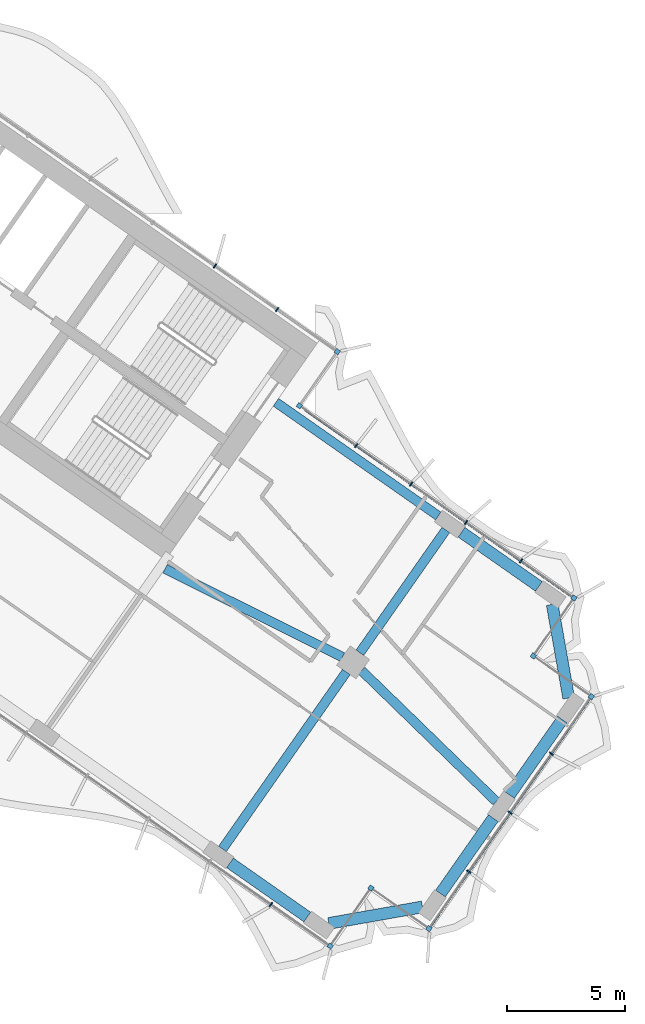
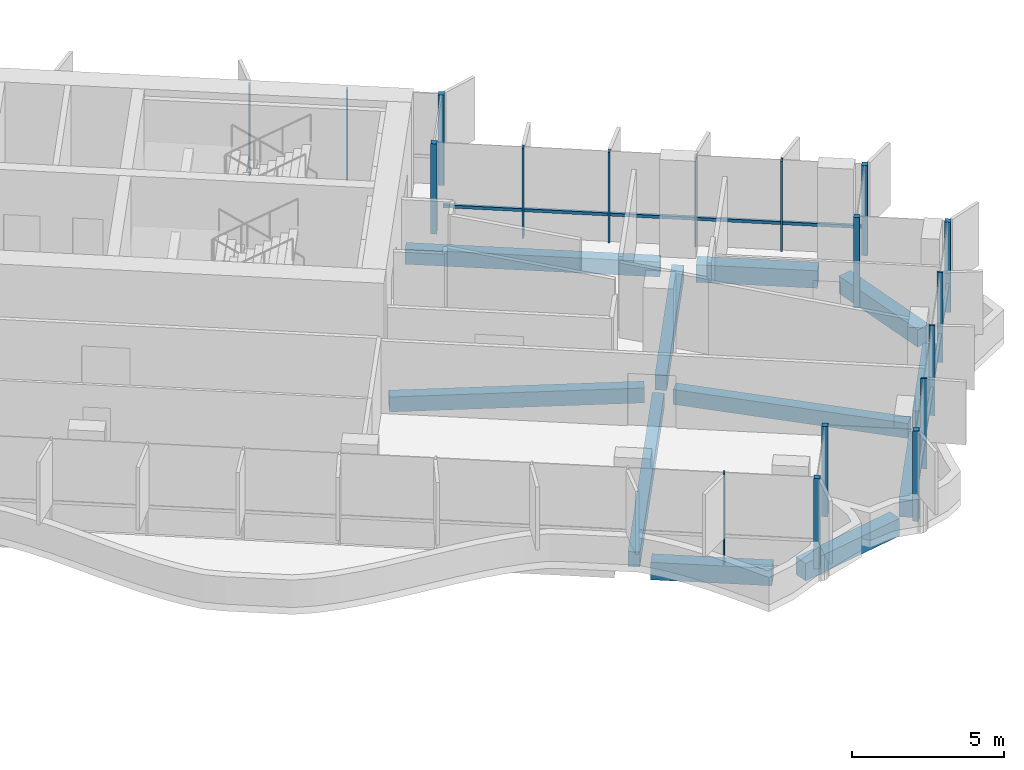
# One storey, part 9 of 22: 20 members, 11 beams, 2 elements without a shape of their own.
"""IFC4 building model written with IfcOpenShell, lengths in metres."""

from ifc_helpers import new_model, si_unit, direction, frame, origin, origin_2d, place, context, subcontext, project, spatial, rectangle, extrude, material, material_profile, profile_set, type_object, element, aggregate, save


model = new_model("IFC4")

# Units and contexts
model_context = context("Model", 3, precision=1e-05, world=origin(), true_north=direction((0.0, 1.0)))
body_context = subcontext(model_context, "Body", "Model", "MODEL_VIEW")
ifc_project = project(units=[si_unit("LENGTHUNIT", "METRE"), si_unit("AREAUNIT", "SQUARE_METRE"), si_unit("VOLUMEUNIT", "CUBIC_METRE"), si_unit("PLANEANGLEUNIT", "RADIAN"), si_unit("MASSUNIT", "GRAM", prefix="KILO")], contexts=[model_context])

# Site, building, storey
site_placement = place(None, origin())
site = spatial("IfcSite", under=ifc_project, at=site_placement, CompositionType="ELEMENT")
building_placement = place(site_placement, origin())
building = spatial("IfcBuilding", under=site, at=building_placement, Name="Tel Ilan Convention Tower", CompositionType="ELEMENT")
storey_placement = place(building_placement, frame((0.0, 0.0, 135.89990234375)))
storey = spatial("IfcBuildingStorey", under=building, at=storey_placement, Name="L30", CompositionType="ELEMENT", Elevation=135.89990234375)

# Beams
ifc_material_1 = material(Name="Concrete C40/50", Category="concrete")
ifc_material_profile_1 = material_profile(ifc_material_1, rectangle(XDim=0.39990234375, YDim=0.60009765625, at=origin_2d()), Name="RC 400x600")
ifc_profile_set_1 = profile_set([ifc_material_profile_1], Name="Concrete C40/50")
beam_type_1 = type_object("IfcBeamType", Name="Beam RC 400x600 Concrete C40/50", PredefinedType="BEAM", material=ifc_profile_set_1)
beam_1_placement = place(storey_placement, frame((33.09912109375, -14.44775390625, -0.579833984375), z_axis=(-0.819147254605, 0.573583276668, 0.0), x_axis=(-0.573583276668, -0.819147254605, 0.0)))
element("IfcBeam", 1, at=beam_1_placement, inside=storey, type_object=beam_type_1, Name="L30 beam E-E-B4-core", PredefinedType="BEAM", context=body_context, shape_type="SweptSolid", body=[
    extrude(rectangle(XDim=0.39990234375, YDim=0.60009765625, at=origin_2d()), origin(), (0.0, 0.0, 1.0), 8.400146484375),
])
beam_2_placement = place(storey_placement, frame((21.52099609375, -16.686279296875, -0.579833984375), z_axis=(0.895402365524, -0.445257907076, 0.0), x_axis=(0.445257907076, 0.895402365524, 0.0)))
element("IfcBeam", 2, at=beam_2_placement, inside=storey, type_object=beam_type_1, Name="L30 beam E-core-E-M4", PredefinedType="BEAM", context=body_context, shape_type="SweptSolid", body=[
    extrude(rectangle(XDim=0.39990234375, YDim=0.60009765625, at=origin_2d()), origin(), (0.0, 0.0, 1.0), 8.3935546875),
])
beam_3_placement = place(storey_placement, frame((29.8525390625, -21.001708984375, -0.579833984375), z_axis=(0.716983836762, -0.697089791793, 0.0), x_axis=(0.697089791793, 0.716983836762, 0.0)))
element("IfcBeam", 3, at=beam_3_placement, inside=storey, type_object=beam_type_1, Name="L30 beam E-E-M4-end", PredefinedType="BEAM", context=body_context, shape_type="SweptSolid", body=[
    extrude(rectangle(XDim=0.39990234375, YDim=0.60009765625, at=origin_2d()), origin(), (0.0, 0.0, 1.0), 7.952392578125),
])
beam_4_placement = place(storey_placement, frame((29.20263671875, -21.058349609375, -0.579833984375), z_axis=(-0.573557249804, -0.819165478519, 0.0), x_axis=(0.819165478519, -0.573557249804, 0.0)))
element("IfcBeam", 4, at=beam_4_placement, inside=storey, type_object=beam_type_1, Name="L30 beam E-E-M4-E-F4", PredefinedType="BEAM", context=body_context, shape_type="SweptSolid", body=[
    extrude(rectangle(XDim=0.39990234375, YDim=0.60009765625, at=origin_2d()), origin(), (0.0, 0.0, 1.0), 9.14990234375),
])
beam_5_placement = place(storey_placement, frame((29.7763671875, -20.2392578125, -0.579833984375), z_axis=(0.573560394383, 0.819163276762, 0.0), x_axis=(-0.819163276762, 0.573560394383, 0.0)))
element("IfcBeam", 5, at=beam_5_placement, inside=storey, type_object=beam_type_1, Name="L30 beam E-E-M4-E-B4", PredefinedType="BEAM", context=body_context, shape_type="SweptSolid", body=[
    extrude(rectangle(XDim=0.39990234375, YDim=0.60009765625, at=origin_2d()), origin(), (0.0, 0.0, 1.0), 6.349853515625),
])
ifc_material_2 = material(Name="Concrete C40/50", Category="concrete")
ifc_material_profile_2 = material_profile(ifc_material_2, rectangle(XDim=0.5, YDim=0.699951171875, at=origin_2d()), Name="RC 500x700")
ifc_profile_set_2 = profile_set([ifc_material_profile_2], Name="Concrete C40/50")
beam_type_2 = type_object("IfcBeamType", Name="Beam RC 500x700 Concrete C40/50", PredefinedType="BEAM", material=ifc_profile_set_2)
beam_6_placement = place(storey_placement, frame((24.27392578125, -29.1435546875, -0.6298828125), z_axis=(0.819165963305, -0.573556557423, 0.0), x_axis=(0.573556557423, 0.819165963305, 0.0)))
element("IfcBeam", 6, at=beam_6_placement, inside=storey, type_object=beam_type_2, Name="L30 beam E-E-F4-E-FC", PredefinedType="BEAM", context=body_context, shape_type="SweptSolid", body=[
    extrude(rectangle(XDim=0.5, YDim=0.699951171875, at=origin_2d()), origin(), (0.0, 0.0, 1.0), 4.0),
])
beam_7_placement = place(storey_placement, frame((28.459716796875, -31.708251953125, -0.6298828125), z_axis=(0.984806721117, 0.173654029734, 0.0), x_axis=(-0.173654029734, 0.984806721117, 0.0)))
element("IfcBeam", 7, at=beam_7_placement, inside=storey, type_object=beam_type_2, Name="L30 beam E-E-FC-E-E1", PredefinedType="BEAM", context=body_context, shape_type="SweptSolid", body=[
    extrude(rectangle(XDim=0.5, YDim=0.699951171875, at=origin_2d()), origin(), (0.0, 0.0, 1.0), 4.03076171875),
])
for number, where, z_axis, x_axis, name in (
    (8, (33.19091796875, -30.443115234375, -0.6298828125), (0.573609383536, 0.819128973434, 0.0), (-0.819128973434, 0.573609383536, 0.0), "L30 beam E-E-E1-E-E2"),
    (9, (36.1162109375, -26.265380859375, -0.6298828125), (0.573609383536, 0.819128973434, 0.0), (-0.819128973434, 0.573609383536, 0.0), "L30 beam E-E-E2-E-E3"),
):
    element("IfcBeam", number, at=place(storey_placement, frame(where, z_axis=z_axis, x_axis=x_axis)), inside=storey, type_object=beam_type_2, Name=name, PredefinedType="BEAM", context=body_context, shape_type="SweptSolid", body=[
        extrude(rectangle(XDim=0.5, YDim=0.699951171875, at=origin_2d()), origin(), (0.0, 0.0, 1.0), 3.89990234375),
    ])
beam_8_placement = place(storey_placement, frame((38.623779296875, -22.16162109375, -0.6298828125), z_axis=(-0.173654029734, 0.984806721117, 0.0), x_axis=(-0.984806721117, -0.173654029734, 0.0)))
element("IfcBeam", 10, at=beam_8_placement, inside=storey, type_object=beam_type_2, Name="L30 beam E-E-E3-E-BC", PredefinedType="BEAM", context=body_context, shape_type="SweptSolid", body=[
    extrude(rectangle(XDim=0.5, YDim=0.699951171875, at=origin_2d()), origin(), (0.0, 0.0, 1.0), 4.03076171875),
])
beam_9_placement = place(storey_placement, frame((37.358642578125, -17.430419921875, -0.6298828125), z_axis=(-0.819137286189, 0.573597512525, 0.0), x_axis=(-0.573597512525, -0.819137286189, 0.0)))
element("IfcBeam", 11, at=beam_9_placement, inside=storey, type_object=beam_type_2, Name="L30 beam E-E-BC-E-B4", PredefinedType="BEAM", context=body_context, shape_type="SweptSolid", body=[
    extrude(rectangle(XDim=0.5, YDim=0.699951171875, at=origin_2d()), origin(), (0.0, 0.0, 1.0), 4.0),
])

# Curtain wall, members
ifc_material_3 = material(Name="Aluminium, bronze anodised", Category="aluminium")
curtain_wall_type_1 = type_object("IfcCurtainWallType", Name="CW2 STICK CURTAIN WALL, SPANDREL PANELS", PredefinedType="NOTDEFINED", material=ifc_material_3)
curtain_wall_1_placement = place(storey_placement, origin())
curtain_wall_1 = element("IfcCurtainWall", 12, at=curtain_wall_1_placement, inside=storey, type_object=curtain_wall_type_1, Name="Curtain wall CW2-24.01", PredefinedType="NOTDEFINED")
ifc_material_4 = material(Name="Aluminium, bronze anodised", Category="aluminium")
ifc_material_profile_3 = material_profile(ifc_material_4, rectangle(XDim=0.199951171875, YDim=0.199951171875, at=origin_2d()), Name="CW CORNER MULLION 200x200")
ifc_profile_set_3 = profile_set([ifc_material_profile_3], Name="Aluminium, bronze anodised")
member_type_1 = type_object("IfcMemberType", Name="CW CORNER MULLION 200x200", PredefinedType="MULLION", material=ifc_profile_set_3)
member_1_placement = place(storey_placement, frame((27.213623046875, -9.77734375, 0.0), z_axis=(0.0, 0.0, 1.0), x_axis=(-0.819152044289, 0.573576436351, 0.0)))
member_1 = element("IfcMember", 13, at=member_1_placement, type_object=member_type_1, Name="Corner mullion", PredefinedType="MULLION", context=body_context, shape_type="SweptSolid", body=[
    extrude(rectangle(XDim=0.199951171875, YDim=0.199951171875, at=origin_2d()), origin(), (0.0, 0.0, 1.0), 3.6201171875),
])
member_2_placement = place(storey_placement, frame((28.819580078125, -7.483642578125, 0.0), z_axis=(0.0, 0.0, 1.0), x_axis=(0.573576436351, 0.819152044289, 0.0)))
member_2 = element("IfcMember", 14, at=member_2_placement, type_object=member_type_1, Name="Corner mullion", PredefinedType="MULLION", context=body_context, shape_type="SweptSolid", body=[
    extrude(rectangle(XDim=0.199951171875, YDim=0.199951171875, at=origin_2d()), origin(), (0.0, 0.0, 1.0), 3.6201171875),
])

ifc_material_5 = material(Name="Aluminium, bronze anodised", Category="aluminium")
curtain_wall_type_2 = type_object("IfcCurtainWallType", Name="CW4 STICK CURTAIN WALL, OFFICE TINTED GLASS", PredefinedType="NOTDEFINED", material=ifc_material_5)
curtain_wall_2_placement = place(storey_placement, origin())
curtain_wall_2 = element("IfcCurtainWall", 15, at=curtain_wall_2_placement, inside=storey, type_object=curtain_wall_type_2, Name="Curtain wall CW4-24.02", PredefinedType="NOTDEFINED")
member_3_placement = place(storey_placement, frame((28.52099609375, -32.666748046875, 0.0), z_axis=(0.0, 0.0, 1.0), x_axis=(0.819152044289, -0.573576436351, 0.0)))
member_3 = element("IfcMember", 16, at=member_3_placement, type_object=member_type_1, Name="Corner mullion", PredefinedType="MULLION", context=body_context, shape_type="SweptSolid", body=[
    extrude(rectangle(XDim=0.199951171875, YDim=0.199951171875, at=origin_2d()), origin(), (0.0, 0.0, 1.0), 3.6201171875),
])
member_4_placement = place(storey_placement, frame((30.241943359375, -30.209228515625, 0.0), z_axis=(0.0, 0.0, 1.0), x_axis=(0.573576436351, 0.819152044289, 0.0)))
member_4 = element("IfcMember", 17, at=member_4_placement, type_object=member_type_1, Name="Corner mullion", PredefinedType="MULLION", context=body_context, shape_type="SweptSolid", body=[
    extrude(rectangle(XDim=0.199951171875, YDim=0.199951171875, at=origin_2d()), origin(), (0.0, 0.0, 1.0), 3.6201171875),
])
member_5_placement = place(storey_placement, frame((32.69921875, -31.929931640625, 0.0), z_axis=(0.0, 0.0, 1.0), x_axis=(0.819152044289, -0.573576436351, 0.0)))
member_5 = element("IfcMember", 18, at=member_5_placement, type_object=member_type_1, Name="Corner mullion", PredefinedType="MULLION", context=body_context, shape_type="SweptSolid", body=[
    extrude(rectangle(XDim=0.199951171875, YDim=0.199951171875, at=origin_2d()), origin(), (0.0, 0.0, 1.0), 3.6201171875),
])
member_6_placement = place(storey_placement, frame((39.582275390625, -22.10009765625, 0.0), z_axis=(0.0, 0.0, 1.0), x_axis=(0.573576436351, 0.819152044289, 0.0)))
member_6 = element("IfcMember", 19, at=member_6_placement, type_object=member_type_1, Name="Corner mullion", PredefinedType="MULLION", context=body_context, shape_type="SweptSolid", body=[
    extrude(rectangle(XDim=0.199951171875, YDim=0.199951171875, at=origin_2d()), origin(), (0.0, 0.0, 1.0), 3.6201171875),
])
member_7_placement = place(storey_placement, frame((37.124755859375, -20.37939453125, 0.0), z_axis=(0.0, 0.0, 1.0), x_axis=(-0.819152044289, 0.573576436351, 0.0)))
member_7 = element("IfcMember", 20, at=member_7_placement, type_object=member_type_1, Name="Corner mullion", PredefinedType="MULLION", context=body_context, shape_type="SweptSolid", body=[
    extrude(rectangle(XDim=0.199951171875, YDim=0.199951171875, at=origin_2d()), origin(), (0.0, 0.0, 1.0), 3.6201171875),
])
member_8_placement = place(storey_placement, frame((38.845458984375, -17.922119140625, 0.0), z_axis=(0.0, 0.0, 1.0), x_axis=(0.573576436351, 0.819152044289, 0.0)))
member_8 = element("IfcMember", 21, at=member_8_placement, type_object=member_type_1, Name="Corner mullion", PredefinedType="MULLION", context=body_context, shape_type="SweptSolid", body=[
    extrude(rectangle(XDim=0.199951171875, YDim=0.199951171875, at=origin_2d()), origin(), (0.0, 0.0, 1.0), 3.6201171875),
])

# Member
ifc_material_6 = material(Name="Aluminium, bronze anodised", Category="aluminium")
ifc_material_profile_4 = material_profile(ifc_material_6, rectangle(XDim=0.06005859375, YDim=0.199951171875, at=origin_2d()), Name="CW MULLION 60x200")
ifc_profile_set_4 = profile_set([ifc_material_profile_4], Name="Aluminium, bronze anodised")
member_type_2 = type_object("IfcMemberType", Name="CW MULLION 60x200", PredefinedType="MULLION", material=ifc_profile_set_4)
member_9_placement = place(storey_placement, frame((26.268798828125, -5.697509765625, 0.0), z_axis=(0.0, 0.0, 1.0), x_axis=(-0.819152044289, 0.573576436351, 0.0)))
member_9 = element("IfcMember", 22, at=member_9_placement, type_object=member_type_2, Name="Mullion", PredefinedType="MULLION", context=body_context, shape_type="SweptSolid", body=[
    extrude(rectangle(XDim=0.06005859375, YDim=0.199951171875, at=origin_2d()), origin(), (0.0, 0.0, 1.0), 3.6201171875),
])

member_10_placement = place(storey_placement, frame((23.63623046875, -3.854248046875, 0.0), z_axis=(0.0, 0.0, 1.0), x_axis=(-0.819152044289, 0.573576436351, 0.0)))
member_10 = element("IfcMember", 23, at=member_10_placement, type_object=member_type_2, Name="Mullion", PredefinedType="MULLION", context=body_context, shape_type="SweptSolid", body=[
    extrude(rectangle(XDim=0.06005859375, YDim=0.199951171875, at=origin_2d()), origin(), (0.0, 0.0, 1.0), 3.6201171875),
])

aggregate(curtain_wall_1, [member_1, member_2, member_9, member_10])

member_11_placement = place(storey_placement, frame((26.008056640625, -30.906982421875, 0.0), z_axis=(0.0, 0.0, 1.0), x_axis=(0.819152044289, -0.573576436351, 0.0)))
member_11 = element("IfcMember", 24, at=member_11_placement, type_object=member_type_2, Name="Mullion", PredefinedType="MULLION", context=body_context, shape_type="SweptSolid", body=[
    extrude(rectangle(XDim=0.06005859375, YDim=0.199951171875, at=origin_2d()), origin(), (0.0, 0.0, 1.0), 3.6201171875),
])

member_12_placement = place(storey_placement, frame((34.391357421875, -29.513427734375, 0.0), z_axis=(0.0, 0.0, 1.0), x_axis=(0.573576436351, 0.819152044289, 0.0)))
member_12 = element("IfcMember", 25, at=member_12_placement, type_object=member_type_2, Name="Mullion", PredefinedType="MULLION", context=body_context, shape_type="SweptSolid", body=[
    extrude(rectangle(XDim=0.06005859375, YDim=0.199951171875, at=origin_2d()), origin(), (0.0, 0.0, 1.0), 3.6201171875),
])

member_13_placement = place(storey_placement, frame((36.140869140625, -27.01513671875, 0.0), z_axis=(0.0, 0.0, 1.0), x_axis=(0.573576436351, 0.819152044289, 0.0)))
member_13 = element("IfcMember", 26, at=member_13_placement, type_object=member_type_2, Name="Mullion", PredefinedType="MULLION", context=body_context, shape_type="SweptSolid", body=[
    extrude(rectangle(XDim=0.06005859375, YDim=0.199951171875, at=origin_2d()), origin(), (0.0, 0.0, 1.0), 3.6201171875),
])

member_14_placement = place(storey_placement, frame((37.89013671875, -24.5166015625, 0.0), z_axis=(0.0, 0.0, 1.0), x_axis=(0.573576436351, 0.819152044289, 0.0)))
member_14 = element("IfcMember", 27, at=member_14_placement, type_object=member_type_2, Name="Mullion", PredefinedType="MULLION", context=body_context, shape_type="SweptSolid", body=[
    extrude(rectangle(XDim=0.06005859375, YDim=0.199951171875, at=origin_2d()), origin(), (0.0, 0.0, 1.0), 3.6201171875),
])

member_15_placement = place(storey_placement, frame((36.60107421875, -16.350341796875, 0.0), z_axis=(0.0, 0.0, 1.0), x_axis=(-0.819152044289, 0.573576436351, 0.0)))
member_15 = element("IfcMember", 28, at=member_15_placement, type_object=member_type_2, Name="Mullion", PredefinedType="MULLION", context=body_context, shape_type="SweptSolid", body=[
    extrude(rectangle(XDim=0.06005859375, YDim=0.199951171875, at=origin_2d()), origin(), (0.0, 0.0, 1.0), 3.6201171875),
])

member_16_placement = place(storey_placement, frame((34.274658203125, -14.721435546875, 0.0), z_axis=(0.0, 0.0, 1.0), x_axis=(-0.819152044289, 0.573576436351, 0.0)))
member_16 = element("IfcMember", 29, at=member_16_placement, type_object=member_type_2, Name="Mullion", PredefinedType="MULLION", context=body_context, shape_type="SweptSolid", body=[
    extrude(rectangle(XDim=0.06005859375, YDim=0.199951171875, at=origin_2d()), origin(), (0.0, 0.0, 1.0), 3.6201171875),
])

member_17_placement = place(storey_placement, frame((31.9482421875, -13.092529296875, 0.0), z_axis=(0.0, 0.0, 1.0), x_axis=(-0.819152044289, 0.573576436351, 0.0)))
member_17 = element("IfcMember", 30, at=member_17_placement, type_object=member_type_2, Name="Mullion", PredefinedType="MULLION", context=body_context, shape_type="SweptSolid", body=[
    extrude(rectangle(XDim=0.06005859375, YDim=0.199951171875, at=origin_2d()), origin(), (0.0, 0.0, 1.0), 3.6201171875),
])

member_18_placement = place(storey_placement, frame((29.621826171875, -11.463623046875, 0.0), z_axis=(0.0, 0.0, 1.0), x_axis=(-0.819152044289, 0.573576436351, 0.0)))
member_18 = element("IfcMember", 31, at=member_18_placement, type_object=member_type_2, Name="Mullion", PredefinedType="MULLION", context=body_context, shape_type="SweptSolid", body=[
    extrude(rectangle(XDim=0.06005859375, YDim=0.199951171875, at=origin_2d()), origin(), (0.0, 0.0, 1.0), 3.6201171875),
])

ifc_material_7 = material(Name="Aluminium, bronze anodised", Category="aluminium")
ifc_material_profile_5 = material_profile(ifc_material_7, rectangle(XDim=0.10009765625, YDim=0.1201171875, at=origin_2d()), Name="CW TRANSOM 100x120")
ifc_profile_set_5 = profile_set([ifc_material_profile_5], Name="Aluminium, bronze anodised")
member_type_3 = type_object("IfcMemberType", Name="CW TRANSOM 100x120", PredefinedType="USERDEFINED", material=ifc_profile_set_5)
member_19_placement = place(storey_placement, frame((32.756591796875, -31.84814453125, 1.10009765625), z_axis=(0.573581755582, 0.819148319698, 0.0), x_axis=(-0.819148319698, 0.573581755582, 0.0)))
member_19 = element("IfcMember", 32, at=member_19_placement, type_object=member_type_3, Name="Transom", ObjectType="TRANSOM", PredefinedType="USERDEFINED", context=body_context, shape_type="SweptSolid", body=[
    extrude(rectangle(XDim=0.10009765625, YDim=0.1201171875, at=origin_2d()), origin(), (0.0, 0.0, 1.0), 11.800048828125),
])

member_20_placement = place(storey_placement, frame((38.763671875, -17.86474609375, 1.10009765625), z_axis=(-0.819149630799, 0.573579883156, 0.0), x_axis=(-0.573579883156, -0.819149630799, 0.0)))
member_20 = element("IfcMember", 33, at=member_20_placement, type_object=member_type_3, Name="Transom", ObjectType="TRANSOM", PredefinedType="USERDEFINED", context=body_context, shape_type="SweptSolid", body=[
    extrude(rectangle(XDim=0.10009765625, YDim=0.1201171875, at=origin_2d()), origin(), (0.0, 0.0, 1.0), 13.80029296875),
])

aggregate(curtain_wall_2, [member_11, member_3, member_4, member_5, member_12, member_13, member_14, member_6, member_19, member_7, member_8, member_15, member_16, member_17, member_18, member_20])

save(model, "model.ifc")
